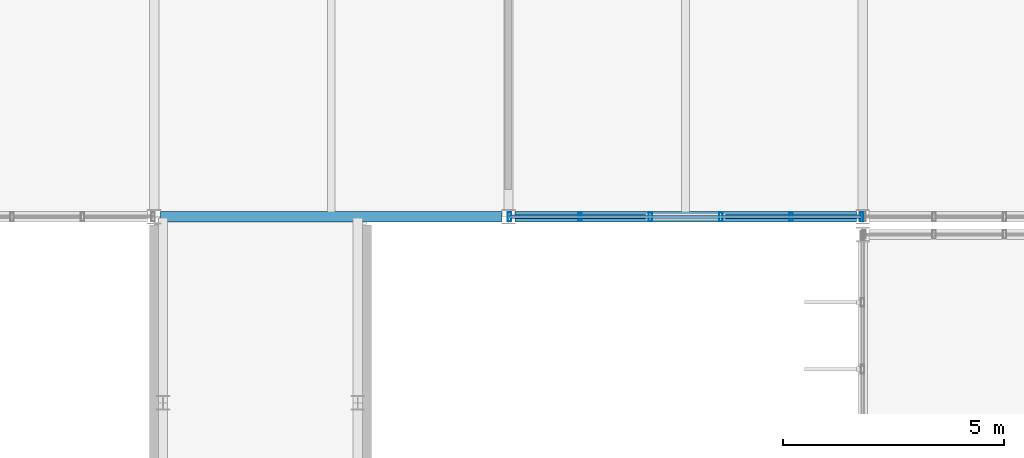
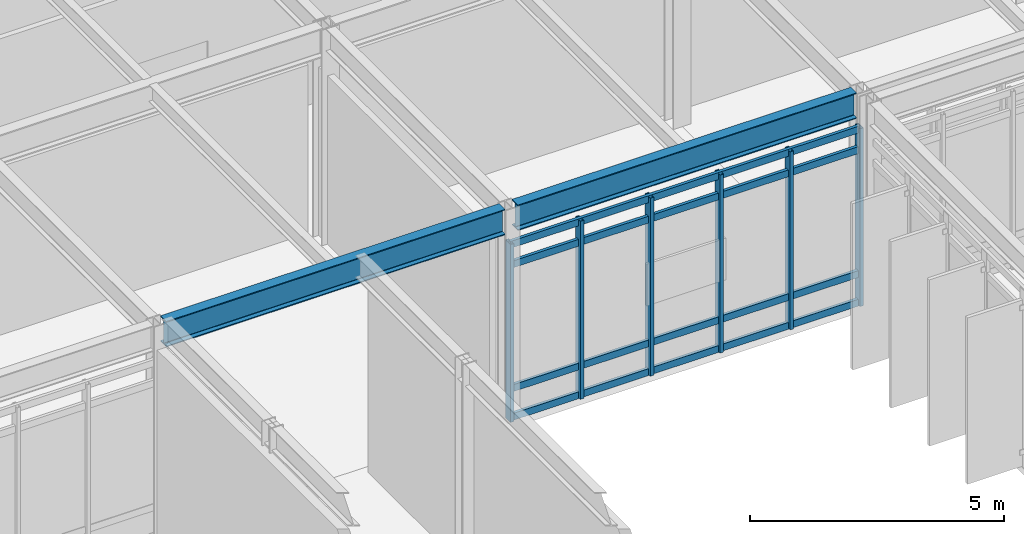
# One storey, part 30 of 94: 10 members, 2 beams, 1 element without a shape of its own.
"""IFC4 building model written with IfcOpenShell, lengths in metres."""

from ifc_helpers import new_model, si_unit, direction, frame, origin, origin_2d, place, context, subcontext, project, spatial, hollow_rectangle, i_section, extrude, material, material_profile, profile_set, type_object, element, aggregate, save


model = new_model("IFC4")

# Units and contexts
model_context = context("Model", 3, precision=1e-05, world=origin(), true_north=direction((0.0, 1.0)))
body_context = subcontext(model_context, "Body", "Model", "MODEL_VIEW")
ifc_project = project(units=[si_unit("LENGTHUNIT", "METRE"), si_unit("AREAUNIT", "SQUARE_METRE"), si_unit("VOLUMEUNIT", "CUBIC_METRE"), si_unit("PLANEANGLEUNIT", "RADIAN"), si_unit("MASSUNIT", "GRAM", prefix="KILO")], contexts=[model_context])

# Site, building, storey
site_placement = place(None, origin())
site = spatial("IfcSite", under=ifc_project, at=site_placement, CompositionType="ELEMENT")
building_placement = place(site_placement, origin())
building = spatial("IfcBuilding", under=site, at=building_placement, Name="Zulena Civic Courthouse", CompositionType="ELEMENT")
storey_placement = place(building_placement, frame((0.0, 0.0, 5.39990234375)))
storey = spatial("IfcBuildingStorey", under=building, at=storey_placement, Name="L01", CompositionType="ELEMENT", Elevation=5.39990234375)

# Curtain wall, members
ifc_material_1 = material(Name="Double-silver low-E laminated solar-control glass", Category="glass")
curtain_wall_type = type_object("IfcCurtainWallType", Name="CW_7952x4280", PredefinedType="USERDEFINED", material=ifc_material_1)
curtain_wall_placement = place(storey_placement, origin())
curtain_wall = element("IfcCurtainWall", 1, at=curtain_wall_placement, inside=storey, type_object=curtain_wall_type, Name="cw:V5:L01:5:5", ObjectType="UNITISED CURTAIN WALL", PredefinedType="USERDEFINED")
ifc_material_2 = material(Name="Bronze anodised thermally broken aluminium AA6063-T6", Category="aluminium")
ifc_material_profile_1 = material_profile(ifc_material_2, hollow_rectangle(XDim=0.080078125, YDim=0.199951171875, WallThickness=0.0048828125, at=origin_2d()), Name="CWM200X80X5")
ifc_profile_set_1 = profile_set([ifc_material_profile_1], Name="Bronze anodised thermally broken aluminium AA6063-T6")
member_type_1 = type_object("IfcMemberType", Name="CWMullion_200x80", PredefinedType="MULLION", material=ifc_profile_set_1)
member_1_placement = place(storey_placement, frame((67.97607421875, 46.0, 0.0), z_axis=(0.0, 0.0, 1.0), x_axis=(1.0, 0.0, 0.0)))
member_1 = element("IfcMember", 2, at=member_1_placement, type_object=member_type_1, Name="cw:V5:L01:5:5:mull:0", PredefinedType="MULLION", context=body_context, shape_type="SweptSolid", body=[
    extrude(hollow_rectangle(XDim=0.080078125, YDim=0.199951171875, WallThickness=0.0048828125, at=origin_2d()), origin(), (0.0, 0.0, 1.0), 4.280029296875),
])
member_2_placement = place(storey_placement, frame((66.385498046875, 46.0, 0.0), z_axis=(0.0, 0.0, 1.0), x_axis=(1.0, 0.0, 0.0)))
member_2 = element("IfcMember", 3, at=member_2_placement, type_object=member_type_1, Name="cw:V5:L01:5:5:mull:1", PredefinedType="MULLION", context=body_context, shape_type="SweptSolid", body=[
    extrude(hollow_rectangle(XDim=0.080078125, YDim=0.199951171875, WallThickness=0.0048828125, at=origin_2d()), origin(), (0.0, 0.0, 1.0), 4.280029296875),
])
member_3_placement = place(storey_placement, frame((64.795166015625, 46.0, 0.0), z_axis=(0.0, 0.0, 1.0), x_axis=(1.0, 0.0, 0.0)))
member_3 = element("IfcMember", 4, at=member_3_placement, type_object=member_type_1, Name="cw:V5:L01:5:5:mull:2", PredefinedType="MULLION", context=body_context, shape_type="SweptSolid", body=[
    extrude(hollow_rectangle(XDim=0.080078125, YDim=0.199951171875, WallThickness=0.0048828125, at=origin_2d()), origin(), (0.0, 0.0, 1.0), 4.280029296875),
])
member_4_placement = place(storey_placement, frame((63.204833984375, 46.0, 0.0), z_axis=(0.0, 0.0, 1.0), x_axis=(1.0, 0.0, 0.0)))
member_4 = element("IfcMember", 5, at=member_4_placement, type_object=member_type_1, Name="cw:V5:L01:5:5:mull:3", PredefinedType="MULLION", context=body_context, shape_type="SweptSolid", body=[
    extrude(hollow_rectangle(XDim=0.080078125, YDim=0.199951171875, WallThickness=0.0048828125, at=origin_2d()), origin(), (0.0, 0.0, 1.0), 4.280029296875),
])
member_5_placement = place(storey_placement, frame((61.614501953125, 46.0, 0.0), z_axis=(0.0, 0.0, 1.0), x_axis=(1.0, 0.0, 0.0)))
member_5 = element("IfcMember", 6, at=member_5_placement, type_object=member_type_1, Name="cw:V5:L01:5:5:mull:4", PredefinedType="MULLION", context=body_context, shape_type="SweptSolid", body=[
    extrude(hollow_rectangle(XDim=0.080078125, YDim=0.199951171875, WallThickness=0.0048828125, at=origin_2d()), origin(), (0.0, 0.0, 1.0), 4.280029296875),
])
member_6_placement = place(storey_placement, frame((60.02392578125, 46.0, 0.0), z_axis=(0.0, 0.0, 1.0), x_axis=(1.0, 0.0, 0.0)))
member_6 = element("IfcMember", 7, at=member_6_placement, type_object=member_type_1, Name="cw:V5:L01:5:5:mull:5", PredefinedType="MULLION", context=body_context, shape_type="SweptSolid", body=[
    extrude(hollow_rectangle(XDim=0.080078125, YDim=0.199951171875, WallThickness=0.0048828125, at=origin_2d()), origin(), (0.0, 0.0, 1.0), 4.280029296875),
])
ifc_material_profile_2 = material_profile(ifc_material_2, hollow_rectangle(XDim=0.070068359375, YDim=0.1650390625, WallThickness=0.00390625, at=origin_2d()), Name="CWT165X70X4")
ifc_profile_set_2 = profile_set([ifc_material_profile_2], Name="Bronze anodised thermally broken aluminium AA6063-T6")
member_type_2 = type_object("IfcMemberType", Name="CWTransom_165x70", PredefinedType="USERDEFINED", material=ifc_profile_set_2)
member_7_placement = place(storey_placement, frame((67.97607421875, 46.0, 0.06005859375), z_axis=(-1.0, 0.0, 0.0), x_axis=(0.0, -1.0, 0.0)))
member_7 = element("IfcMember", 8, at=member_7_placement, type_object=member_type_2, Name="cw:V5:L01:5:5:tran:0", ObjectType="TRANSOM", PredefinedType="USERDEFINED", context=body_context, shape_type="SweptSolid", body=[
    extrude(hollow_rectangle(XDim=0.070068359375, YDim=0.1650390625, WallThickness=0.00390625, at=origin_2d()), origin(), (0.0, 0.0, 1.0), 7.9521484375),
])
member_8_placement = place(storey_placement, frame((67.97607421875, 46.0, 0.75), z_axis=(-1.0, 0.0, 0.0), x_axis=(0.0, -1.0, 0.0)))
member_8 = element("IfcMember", 9, at=member_8_placement, type_object=member_type_2, Name="cw:V5:L01:5:5:tran:1", ObjectType="TRANSOM", PredefinedType="USERDEFINED", context=body_context, shape_type="SweptSolid", body=[
    extrude(hollow_rectangle(XDim=0.070068359375, YDim=0.1650390625, WallThickness=0.00390625, at=origin_2d()), origin(), (0.0, 0.0, 1.0), 7.9521484375),
])
member_9_placement = place(storey_placement, frame((67.97607421875, 46.0, 3.72998046875), z_axis=(-1.0, 0.0, 0.0), x_axis=(0.0, -1.0, 0.0)))
member_9 = element("IfcMember", 10, at=member_9_placement, type_object=member_type_2, Name="cw:V5:L01:5:5:tran:2", ObjectType="TRANSOM", PredefinedType="USERDEFINED", context=body_context, shape_type="SweptSolid", body=[
    extrude(hollow_rectangle(XDim=0.070068359375, YDim=0.1650390625, WallThickness=0.00390625, at=origin_2d()), origin(), (0.0, 0.0, 1.0), 7.9521484375),
])
member_10_placement = place(storey_placement, frame((67.97607421875, 46.0, 4.22021484375), z_axis=(-1.0, 0.0, 0.0), x_axis=(0.0, -1.0, 0.0)))
member_10 = element("IfcMember", 11, at=member_10_placement, type_object=member_type_2, Name="cw:V5:L01:5:5:tran:3", ObjectType="TRANSOM", PredefinedType="USERDEFINED", context=body_context, shape_type="SweptSolid", body=[
    extrude(hollow_rectangle(XDim=0.070068359375, YDim=0.1650390625, WallThickness=0.00390625, at=origin_2d()), origin(), (0.0, 0.0, 1.0), 7.9521484375),
])
aggregate(curtain_wall, [member_1, member_2, member_3, member_4, member_5, member_6, member_7, member_8, member_9, member_10])

# Beams
ifc_material_3 = material(Name="Steel ASTM A992 Grade 50", Category="steel")
ifc_material_profile_3 = material_profile(ifc_material_3, i_section(OverallWidth=0.22998046875, OverallDepth=0.616943359375, WebThickness=0.01318359375, FlangeThickness=0.022216796875, FilletRadius=0.0126953125, at=origin_2d()), Name="W24X94")
ifc_profile_set_3 = profile_set([ifc_material_profile_3], Name="Steel ASTM A992 Grade 50")
beam_type = type_object("IfcBeamType", Name="Spandrel_W24X94", PredefinedType="SPANDREL", material=ifc_profile_set_3)
for number, where, z_axis, x_axis, name in (
    (12, (52.14501953125, 46.0, 4.876708984375), (1.0, 0.0, 0.0), (0.0, 1.0, 0.0), "beam:X:V5:L01:46.0:52.0_60.0"),
    (13, (60.14501953125, 46.0, 4.876708984375), (1.0, 0.0, 0.0), (0.0, 1.0, 0.0), "beam:X:V5:L01:46.0:60.0_68.0"),
):
    element("IfcBeam", number, at=place(storey_placement, frame(where, z_axis=z_axis, x_axis=x_axis)), inside=storey, type_object=beam_type, Name=name, PredefinedType="SPANDREL", context=body_context, shape_type="SweptSolid", body=[
        extrude(i_section(OverallWidth=0.22998046875, OverallDepth=0.616943359375, WebThickness=0.01318359375, FlangeThickness=0.022216796875, FilletRadius=0.0126953125, at=origin_2d()), origin(), (0.0, 0.0, 1.0), 7.7099609375),
    ])

save(model, "model.ifc")
